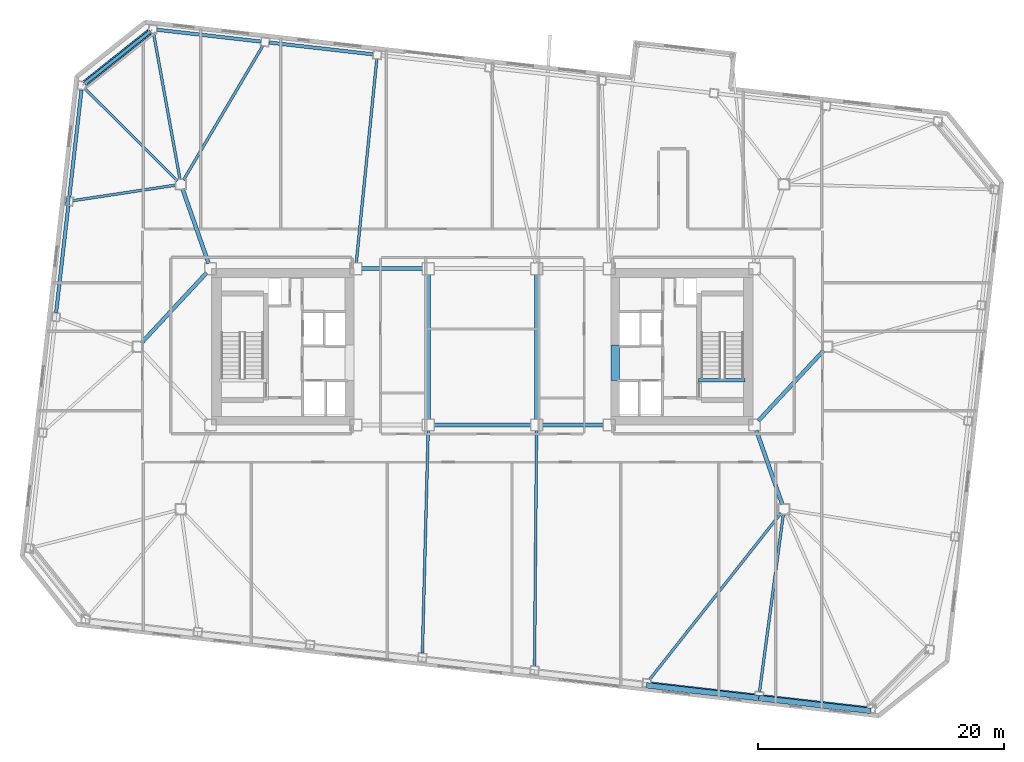
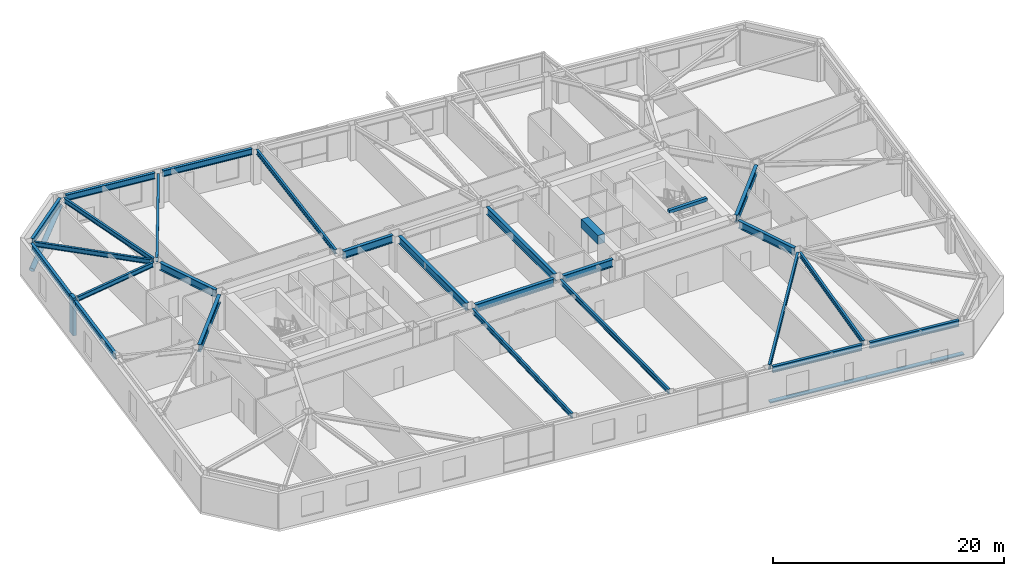
# One storey, part 7 of 21: 27 beams, 4 members.
"""IFC4 building model written with IfcOpenShell, lengths in metres."""

from ifc_helpers import new_model, si_unit, direction, frame, origin, origin_2d, place, context, subcontext, project, spatial, rectangle, hollow_circle, i_section, extrude, material, material_profile, profile_set, type_object, element, save


model = new_model("IFC4")

# Units and contexts
model_context = context("Model", 3, precision=1e-05, world=origin(), true_north=direction((0.0, 1.0)))
body_context = subcontext(model_context, "Body", "Model", "MODEL_VIEW")
ifc_project = project(units=[si_unit("LENGTHUNIT", "METRE"), si_unit("AREAUNIT", "SQUARE_METRE"), si_unit("VOLUMEUNIT", "CUBIC_METRE"), si_unit("PLANEANGLEUNIT", "RADIAN"), si_unit("MASSUNIT", "GRAM", prefix="KILO")], contexts=[model_context])

# Site, building, storey
site_placement = place(None, origin())
site = spatial("IfcSite", under=ifc_project, at=site_placement, CompositionType="ELEMENT")
building_placement = place(site_placement, origin())
building = spatial("IfcBuilding", under=site, at=building_placement, Name="Tavrogorsk Clinical Tower", CompositionType="ELEMENT")
storey_placement = place(building_placement, frame((0.0, 0.0, 121.39990234375)))
storey = spatial("IfcBuildingStorey", under=building, at=storey_placement, Name="L27", CompositionType="ELEMENT", Elevation=121.39990234375)

# Members
ifc_material_1 = material(Name="Anodised aluminium alloy AW-6063", Category="aluminium")
ifc_material_profile_1 = material_profile(ifc_material_1, rectangle(XDim=0.449951171875, YDim=0.1201171875, at=origin_2d()), Name="ALU-SUNSHADE-450x120")
ifc_profile_set_1 = profile_set([ifc_material_profile_1], Name="Anodised aluminium alloy AW-6063")
member_type_1 = type_object("IfcMemberType", Name="ChicagoSunshade_450x120", PredefinedType="USERDEFINED", material=ifc_profile_set_1)
for number, where, z_axis, x_axis, name in (
    (1, (13.326416015625, -27.502197265625, 0.18017578125), (0.993572654864, -0.113196199166, 0.0), (0.113196199166, 0.993572654864, 0.0), "L27 South Aluminium Sunshade S6"),
    (2, (22.444580078125, -28.541015625, 0.18017578125), (0.993572654864, -0.113196199166, 0.0), (0.113196199166, 0.993572654864, 0.0), "L27 South Aluminium Sunshade S7"),
):
    element("IfcMember", number, at=place(storey_placement, frame(where, z_axis=z_axis, x_axis=x_axis)), inside=storey, type_object=member_type_1, Name=name, ObjectType="SUNSHADE", PredefinedType="USERDEFINED", context=body_context, shape_type="SweptSolid", body=[
        extrude(rectangle(XDim=0.449951171875, YDim=0.1201171875, at=origin_2d()), origin(), (0.0, 0.0, 1.0), 9.17724609375),
    ])

# Beam
ifc_material_2 = material(Name="Concrete B80", Category="concrete")
ifc_material_profile_2 = material_profile(ifc_material_2, rectangle(XDim=0.699951171875, YDim=0.949951171875, at=origin_2d()), Name="RC-CB-700x950")
ifc_profile_set_2 = profile_set([ifc_material_profile_2], Name="Concrete B80")
beam_type_1 = type_object("IfcBeamType", Name="CouplingBeam_RC700x950", PredefinedType="LINTEL", material=ifc_profile_set_2)
beam_1_placement = place(storey_placement, frame((10.800048828125, -2.75, 3.26513671875), z_axis=(0.0, 1.0, 0.0), x_axis=(-1.0, 0.0, 0.0)))
element("IfcBeam", 3, at=beam_1_placement, inside=storey, type_object=beam_type_1, Name="L27 Core East Coupling Beam", PredefinedType="LINTEL", context=body_context, shape_type="SweptSolid", body=[
    extrude(rectangle(XDim=0.699951171875, YDim=0.949951171875, at=origin_2d()), origin(), (0.0, 0.0, 1.0), 2.89990234375),
])

# Member
ifc_material_3 = material(Name="Structural steel S440", Category="steel")
ifc_material_profile_3 = material_profile(ifc_material_3, hollow_circle(Radius=0.25390625, WallThickness=0.02001953125, at=origin_2d()), Name="CHS-508x20")
ifc_profile_set_3 = profile_set([ifc_material_profile_3], Name="Structural steel S440")
member_type_2 = type_object("IfcMemberType", Name="ExoBrace_CHS508", PredefinedType="BRACE", material=ifc_profile_set_3)
member_1_placement = place(storey_placement, frame((-32.27587890625, 21.431884765625, 0.425048828125), z_axis=(0.73336936718, 0.583326985798, 0.349140371371), x_axis=(-0.622500682662, 0.782619256143, 0.0)))
element("IfcMember", 4, at=member_1_placement, inside=storey, type_object=member_type_2, Name="L27 Corner Exoskeleton Brace N8-W1", PredefinedType="BRACE", context=body_context, shape_type="SweptSolid", body=[
    extrude(hollow_circle(Radius=0.25390625, WallThickness=0.02001953125, at=origin_2d()), origin(), (0.0, 0.0, 1.0), 7.1318359375),
])

# Beams
ifc_material_4 = material(Name="Structural steel S355", Category="steel")
ifc_material_profile_4 = material_profile(ifc_material_4, i_section(OverallWidth=0.219970703125, OverallDepth=0.5, WebThickness=0.012939453125, FlangeThickness=0.02001953125, at=origin_2d()), Name="B-500x220x13x20")
ifc_profile_set_4 = profile_set([ifc_material_profile_4], Name="Structural steel S355")
beam_type_2 = type_object("IfcBeamType", Name="FloorBeam_B500", PredefinedType="BEAM", material=ifc_profile_set_4)
beam_2_placement = place(storey_placement, frame((-4.411865234375, -6.809814453125, 3.489990234375), z_axis=(-0.025907273598, -0.999664350257, 0.0), x_axis=(0.999664350257, -0.025907273598, 0.0)))
element("IfcBeam", 5, at=beam_2_placement, inside=storey, type_object=beam_type_2, Name="L27 Radial Floor Beam S4", PredefinedType="BEAM", context=body_context, shape_type="SweptSolid", body=[
    extrude(i_section(OverallWidth=0.219970703125, OverallDepth=0.5, WebThickness=0.012939453125, FlangeThickness=0.02001953125, at=origin_2d()), origin(), (0.0, 0.0, 1.0), 18.083984375),
])
beam_3_placement = place(storey_placement, frame((4.39599609375, -6.81005859375, 3.489990234375), z_axis=(-0.00859471964, -0.999963064715, 0.0), x_axis=(0.999963064715, -0.00859471964, 0.0)))
element("IfcBeam", 6, at=beam_3_placement, inside=storey, type_object=beam_type_2, Name="L27 Radial Floor Beam S5", PredefinedType="BEAM", context=body_context, shape_type="SweptSolid", body=[
    extrude(i_section(OverallWidth=0.219970703125, OverallDepth=0.5, WebThickness=0.012939453125, FlangeThickness=0.02001953125, at=origin_2d()), origin(), (0.0, 0.0, 1.0), 19.1171875),
])
beam_4_placement = place(storey_placement, frame((24.245849609375, -13.521728515625, 3.489990234375), z_axis=(-0.619757312108, -0.784793523221, 0.0), x_axis=(0.784793523221, -0.619757312108, 0.0)))
element("IfcBeam", 7, at=beam_4_placement, inside=storey, type_object=beam_type_2, Name="L27 Radial Floor Beam S6", PredefinedType="BEAM", context=body_context, shape_type="SweptSolid", body=[
    extrude(i_section(OverallWidth=0.219970703125, OverallDepth=0.5, WebThickness=0.012939453125, FlangeThickness=0.02001953125, at=origin_2d()), origin(), (0.0, 0.0, 1.0), 17.22802734375),
])
beam_5_placement = place(storey_placement, frame((24.445556640625, -13.6064453125, 3.489990234375), z_axis=(-0.133025440596, -0.991112623345, 0.0), x_axis=(0.991112623345, -0.133025440596, 0.0)))
element("IfcBeam", 8, at=beam_5_placement, inside=storey, type_object=beam_type_2, Name="L27 Radial Floor Beam S7", PredefinedType="BEAM", context=body_context, shape_type="SweptSolid", body=[
    extrude(i_section(OverallWidth=0.219970703125, OverallDepth=0.5, WebThickness=0.012939453125, FlangeThickness=0.02001953125, at=origin_2d()), origin(), (0.0, 0.0, 1.0), 14.530029296875),
])
beam_6_placement = place(storey_placement, frame((-10.25390625, 6.8076171875, 3.489990234375), z_axis=(0.100407035617, 0.994946444387, 0.0), x_axis=(-0.994946444387, 0.100407035617, 0.0)))
element("IfcBeam", 9, at=beam_6_placement, inside=storey, type_object=beam_type_2, Name="L27 Radial Floor Beam N6", PredefinedType="BEAM", context=body_context, shape_type="SweptSolid", body=[
    extrude(i_section(OverallWidth=0.219970703125, OverallDepth=0.5, WebThickness=0.012939453125, FlangeThickness=0.02001953125, at=origin_2d()), origin(), (0.0, 0.0, 1.0), 16.643798828125),
])
beam_7_placement = place(storey_placement, frame((-24.291259765625, 13.552978515625, 3.489990234375), z_axis=(0.508876748392, 0.86083938975, 0.0), x_axis=(-0.86083938975, 0.508876748392, 0.0)))
element("IfcBeam", 10, at=beam_7_placement, inside=storey, type_object=beam_type_2, Name="L27 Radial Floor Beam N7", PredefinedType="BEAM", context=body_context, shape_type="SweptSolid", body=[
    extrude(i_section(OverallWidth=0.219970703125, OverallDepth=0.5, WebThickness=0.012939453125, FlangeThickness=0.02001953125, at=origin_2d()), origin(), (0.0, 0.0, 1.0), 12.663330078125),
])
beam_8_placement = place(storey_placement, frame((-24.572998046875, 13.603515625, 3.489990234375), z_axis=(-0.178287530482, 0.983978432932, 0.0), x_axis=(-0.983978432932, -0.178287530482, 0.0)))
element("IfcBeam", 11, at=beam_8_placement, inside=storey, type_object=beam_type_2, Name="L27 Radial Floor Beam N8", PredefinedType="BEAM", context=body_context, shape_type="SweptSolid", body=[
    extrude(i_section(OverallWidth=0.219970703125, OverallDepth=0.5, WebThickness=0.012939453125, FlangeThickness=0.02001953125, at=origin_2d()), origin(), (0.0, 0.0, 1.0), 12.0380859375),
])
beam_9_placement = place(storey_placement, frame((-24.790283203125, 13.48974609375, 3.489990234375), z_axis=(-0.707775090959, 0.706437839175, 0.0), x_axis=(-0.706437839175, -0.707775090959, 0.0)))
element("IfcBeam", 12, at=beam_9_placement, inside=storey, type_object=beam_type_2, Name="L27 Radial Floor Beam W1", PredefinedType="BEAM", context=body_context, shape_type="SweptSolid", body=[
    extrude(i_section(OverallWidth=0.219970703125, OverallDepth=0.5, WebThickness=0.012939453125, FlangeThickness=0.02001953125, at=origin_2d()), origin(), (0.0, 0.0, 1.0), 10.589111328125),
])
beam_10_placement = place(storey_placement, frame((-24.905517578125, 13.138671875, 3.489990234375), z_axis=(-0.98878314082, -0.149358295482, 0.0), x_axis=(0.149358295482, -0.98878314082, 0.0)))
element("IfcBeam", 13, at=beam_10_placement, inside=storey, type_object=beam_type_2, Name="L27 Radial Floor Beam W2", PredefinedType="BEAM", context=body_context, shape_type="SweptSolid", body=[
    extrude(i_section(OverallWidth=0.219970703125, OverallDepth=0.5, WebThickness=0.012939453125, FlangeThickness=0.02001953125, at=origin_2d()), origin(), (0.0, 0.0, 1.0), 8.4443359375),
])

# Member
ifc_material_5 = material(Name="Precast concrete B45 with limestone cladding", Category="masonry")
ifc_material_profile_5 = material_profile(ifc_material_5, rectangle(XDim=0.320068359375, YDim=0.719970703125, at=origin_2d()), Name="LIMESTONE-FIN-320x720")
ifc_profile_set_5 = profile_set([ifc_material_profile_5], Name="Precast concrete B45 with limestone cladding")
member_type_3 = type_object("IfcMemberType", Name="LimestonePleatFin_320x720", PredefinedType="USERDEFINED", material=ifc_profile_set_5)
member_2_placement = place(storey_placement, frame((-33.688720703125, 11.8330078125, 0.0), z_axis=(0.0, 0.0, 1.0), x_axis=(0.993571855677, -0.113203213768, 0.0)))
element("IfcMember", 14, at=member_2_placement, inside=storey, type_object=member_type_3, Name="L27 W Pleated Stone Fin 1", ObjectType="FIN", PredefinedType="USERDEFINED", context=body_context, shape_type="SweptSolid", body=[
    extrude(rectangle(XDim=0.320068359375, YDim=0.719970703125, at=origin_2d()), origin(), (0.0, 0.0, 1.0), 4.0),
])

# Beams
ifc_material_6 = material(Name="Structural steel S390", Category="steel")
ifc_material_profile_6 = material_profile(ifc_material_6, i_section(OverallWidth=0.320068359375, OverallDepth=0.800048828125, WebThickness=0.02001953125, FlangeThickness=0.033935546875, at=origin_2d()), Name="B-800x320x20x34")
ifc_profile_set_6 = profile_set([ifc_material_profile_6], Name="Structural steel S390")
beam_type_3 = type_object("IfcBeamType", Name="PrimaryGirder_B800", PredefinedType="USERDEFINED", material=ifc_profile_set_6)
beam_11_placement = place(storey_placement, frame((-9.840087890625, 6.35009765625, 3.340087890625), z_axis=(1.0, 0.0, 0.0), x_axis=(0.0, 1.0, 0.0)))
element("IfcBeam", 15, at=beam_11_placement, inside=storey, type_object=beam_type_3, Name="L27 Primary Spine Girder MG-02", ObjectType="GIRDER", PredefinedType="USERDEFINED", context=body_context, shape_type="SweptSolid", body=[
    extrude(i_section(OverallWidth=0.320068359375, OverallDepth=0.800048828125, WebThickness=0.02001953125, FlangeThickness=0.033935546875, at=origin_2d()), origin(), (0.0, 0.0, 1.0), 4.97998046875),
])
beam_12_placement = place(storey_placement, frame((-3.93994140625, -6.35009765625, 3.340087890625), z_axis=(1.0, 0.0, 0.0), x_axis=(0.0, 1.0, 0.0)))
element("IfcBeam", 16, at=beam_12_placement, inside=storey, type_object=beam_type_3, Name="L27 Primary Spine Girder MG-03", ObjectType="GIRDER", PredefinedType="USERDEFINED", context=body_context, shape_type="SweptSolid", body=[
    extrude(i_section(OverallWidth=0.320068359375, OverallDepth=0.800048828125, WebThickness=0.02001953125, FlangeThickness=0.033935546875, at=origin_2d()), origin(), (0.0, 0.0, 1.0), 7.8798828125),
])
beam_13_placement = place(storey_placement, frame((4.860107421875, -6.35009765625, 3.340087890625), z_axis=(1.0, 0.0, 0.0), x_axis=(0.0, 1.0, 0.0)))
element("IfcBeam", 17, at=beam_13_placement, inside=storey, type_object=beam_type_3, Name="L27 Primary Spine Girder MG-05", ObjectType="GIRDER", PredefinedType="USERDEFINED", context=body_context, shape_type="SweptSolid", body=[
    extrude(i_section(OverallWidth=0.320068359375, OverallDepth=0.800048828125, WebThickness=0.02001953125, FlangeThickness=0.033935546875, at=origin_2d()), origin(), (0.0, 0.0, 1.0), 4.97998046875),
])
for number, where, z_axis, x_axis, name in (
    (18, (-4.39990234375, -5.889892578125, 3.340087890625), (0.0, 1.0, 0.0), (-1.0, 0.0, 0.0), "L27 Primary Spine Girder MG-07"),
    (19, (4.39990234375, -5.889892578125, 3.340087890625), (0.0, 1.0, 0.0), (-1.0, 0.0, 0.0), "L27 Primary Spine Girder MG-08"),
):
    element("IfcBeam", number, at=place(storey_placement, frame(where, z_axis=z_axis, x_axis=x_axis)), inside=storey, type_object=beam_type_3, Name=name, ObjectType="GIRDER", PredefinedType="USERDEFINED", context=body_context, shape_type="SweptSolid", body=[
        extrude(i_section(OverallWidth=0.320068359375, OverallDepth=0.800048828125, WebThickness=0.02001953125, FlangeThickness=0.033935546875, at=origin_2d()), origin(), (0.0, 0.0, 1.0), 11.77978515625),
    ])
for number, where, z_axis, x_axis, name in (
    (20, (24.364501953125, -12.81298828125, 3.340087890625), (-0.330660234815, 0.943749865755, 0.0), (-0.943749865755, -0.330660234815, 0.0), "L27 Spine Link Girder OPG-2"),
    (21, (-24.364501953125, 12.81298828125, 3.340087890625), (0.330660234815, -0.943749865755, 0.0), (0.943749865755, 0.330660234815, 0.0), "L27 Spine Link Girder OPG-3"),
):
    element("IfcBeam", number, at=place(storey_placement, frame(where, z_axis=z_axis, x_axis=x_axis)), inside=storey, type_object=beam_type_3, Name=name, ObjectType="GIRDER", PredefinedType="USERDEFINED", context=body_context, shape_type="SweptSolid", body=[
        extrude(i_section(OverallWidth=0.320068359375, OverallDepth=0.800048828125, WebThickness=0.02001953125, FlangeThickness=0.033935546875, at=origin_2d()), origin(), (0.0, 0.0, 1.0), 6.38818359375),
    ])
for number, where, z_axis, x_axis, name in (
    (22, (-27.720947265625, 0.30029296875, 3.340087890625), (0.680675630035, 0.732584934787, 0.0), (-0.732584934787, 0.680675630035, 0.0), "L27 Spine Link Girder OPG-6"),
    (23, (27.720947265625, -0.30029296875, 3.340087890625), (-0.680675630035, -0.732584934787, 0.0), (0.732584934787, -0.680675630035, 0.0), "L27 Spine Link Girder OPG-7"),
):
    element("IfcBeam", number, at=place(storey_placement, frame(where, z_axis=z_axis, x_axis=x_axis)), inside=storey, type_object=beam_type_3, Name=name, ObjectType="GIRDER", PredefinedType="USERDEFINED", context=body_context, shape_type="SweptSolid", body=[
        extrude(i_section(OverallWidth=0.320068359375, OverallDepth=0.800048828125, WebThickness=0.02001953125, FlangeThickness=0.033935546875, at=origin_2d()), origin(), (0.0, 0.0, 1.0), 7.7978515625),
    ])
ifc_material_7 = material(Name="Structural steel S390", Category="steel")
ifc_material_profile_7 = material_profile(ifc_material_7, i_section(OverallWidth=0.280029296875, OverallDepth=0.64990234375, WebThickness=0.01611328125, FlangeThickness=0.02490234375, at=origin_2d()), Name="B-650x280x16x25")
ifc_profile_set_7 = profile_set([ifc_material_profile_7], Name="Structural steel S390")
beam_type_4 = type_object("IfcBeamType", Name="SpandrelBeam_B650", PredefinedType="SPANDREL", material=ifc_profile_set_7)
beam_14_placement = place(storey_placement, frame((13.702392578125, -27.36376953125, 3.4150390625), z_axis=(0.993569819641, -0.113221082395, 0.0), x_axis=(0.113221082395, 0.993569819641, 0.0)))
element("IfcBeam", 24, at=beam_14_placement, inside=storey, type_object=beam_type_4, Name="L27 Perimeter Spandrel S6-S7", PredefinedType="SPANDREL", context=body_context, shape_type="SweptSolid", body=[
    extrude(i_section(OverallWidth=0.280029296875, OverallDepth=0.64990234375, WebThickness=0.01611328125, FlangeThickness=0.02490234375, at=origin_2d()), origin(), (0.0, 0.0, 1.0), 8.46142578125),
])
beam_15_placement = place(storey_placement, frame((22.82080078125, -28.40283203125, 3.4150390625), z_axis=(0.99357232562, -0.113199089054, 0.0), x_axis=(0.113199089054, 0.99357232562, 0.0)))
element("IfcBeam", 25, at=beam_15_placement, inside=storey, type_object=beam_type_4, Name="L27 Perimeter Spandrel S7-S8", PredefinedType="SPANDREL", context=body_context, shape_type="SweptSolid", body=[
    extrude(i_section(OverallWidth=0.280029296875, OverallDepth=0.64990234375, WebThickness=0.01611328125, FlangeThickness=0.02490234375, at=origin_2d()), origin(), (0.0, 0.0, 1.0), 8.4609375),
])
for number, where, z_axis, x_axis, name in (
    (26, (-8.902587890625, 23.763916015625, 3.4150390625), (-0.993572695356, 0.113195843756, 0.0), (-0.113195843756, -0.993572695356, 0.0), "L27 Perimeter Spandrel N6-N7"),
    (27, (-18.020751953125, 24.802734375, 3.4150390625), (-0.993572695356, 0.113195843756, 0.0), (-0.113195843756, -0.993572695356, 0.0), "L27 Perimeter Spandrel N7-N8"),
):
    element("IfcBeam", number, at=place(storey_placement, frame(where, z_axis=z_axis, x_axis=x_axis)), inside=storey, type_object=beam_type_4, Name=name, PredefinedType="SPANDREL", context=body_context, shape_type="SweptSolid", body=[
        extrude(i_section(OverallWidth=0.280029296875, OverallDepth=0.64990234375, WebThickness=0.01611328125, FlangeThickness=0.02490234375, at=origin_2d()), origin(), (0.0, 0.0, 1.0), 8.461181640625),
    ])
beam_16_placement = place(storey_placement, frame((-27.063232421875, 25.578125, 3.4150390625), z_axis=(-0.782613271493, -0.622508206599, 0.0), x_axis=(0.622508206599, -0.782613271493, 0.0)))
element("IfcBeam", 28, at=beam_16_placement, inside=storey, type_object=beam_type_4, Name="L27 Perimeter Spandrel N8-W1", PredefinedType="SPANDREL", context=body_context, shape_type="SweptSolid", body=[
    extrude(i_section(OverallWidth=0.280029296875, OverallDepth=0.64990234375, WebThickness=0.01611328125, FlangeThickness=0.02490234375, at=origin_2d()), origin(), (0.0, 0.0, 1.0), 6.6376953125),
])
for number, where, z_axis, x_axis, name in (
    (29, (-32.578857421875, 20.867431640625, 3.4150390625), (-0.113192226434, -0.993573107464, 0.0), (0.993573107464, -0.113192226434, 0.0), "L27 Perimeter Spandrel W1-W2"),
    (30, (-33.649658203125, 11.46826171875, 3.4150390625), (-0.113219789686, -0.993569966949, 0.0), (0.993569966949, -0.113219789686, 0.0), "L27 Perimeter Spandrel W2-W3"),
):
    element("IfcBeam", number, at=place(storey_placement, frame(where, z_axis=z_axis, x_axis=x_axis)), inside=storey, type_object=beam_type_4, Name=name, PredefinedType="SPANDREL", context=body_context, shape_type="SweptSolid", body=[
        extrude(i_section(OverallWidth=0.280029296875, OverallDepth=0.64990234375, WebThickness=0.01611328125, FlangeThickness=0.02490234375, at=origin_2d()), origin(), (0.0, 0.0, 1.0), 8.743896484375),
    ])
ifc_material_8 = material(Name="Concrete B60", Category="concrete")
ifc_material_profile_8 = material_profile(ifc_material_8, rectangle(XDim=0.300048828125, YDim=0.35009765625, at=origin_2d()), Name="RC-SHB-300x350")
ifc_profile_set_8 = profile_set([ifc_material_profile_8], Name="Concrete B60")
beam_type_5 = type_object("IfcBeamType", Name="StairHeaderBeam_RC300x350", PredefinedType="BEAM", material=ifc_profile_set_8)
beam_17_placement = place(storey_placement, frame((17.550048828125, -2.719970703125, 3.8251953125), z_axis=(1.0, 0.0, 0.0), x_axis=(0.0, 1.0, 0.0)))
element("IfcBeam", 31, at=beam_17_placement, inside=storey, type_object=beam_type_5, Name="L28 ST-E Landing Header Beam", PredefinedType="BEAM", context=body_context, shape_type="SweptSolid", body=[
    extrude(rectangle(XDim=0.300048828125, YDim=0.35009765625, at=origin_2d()), origin(), (0.0, 0.0, 1.0), 3.800048828125),
])

save(model, "model.ifc")
